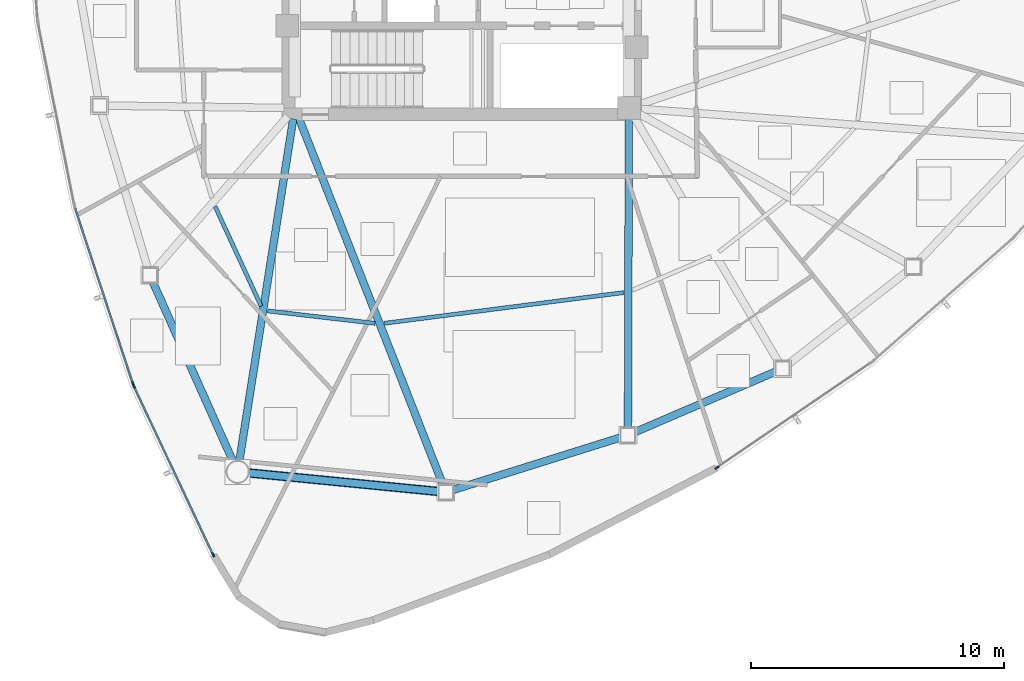
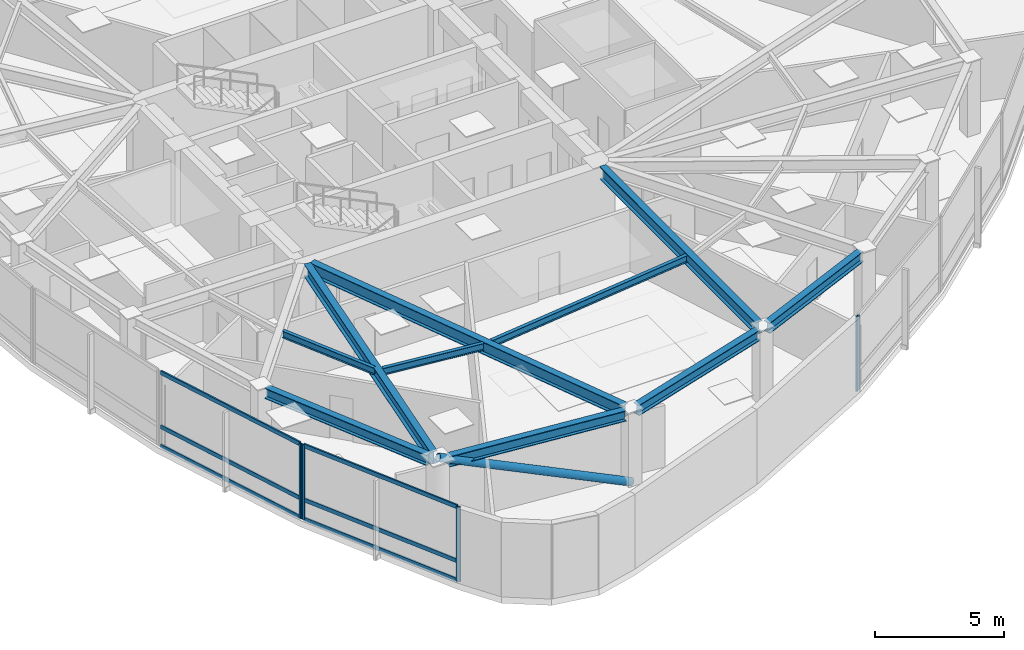
# One storey, part 2 of 17: 11 members, 10 beams, 3 elements without a shape of their own.
"""IFC4 building model written with IfcOpenShell, lengths in metres."""

import ifcopenshell
import ifcopenshell.guid

model = None  # the IFC model being written
_history = None  # IfcOwnerHistory: only IFC2X3 demands one
_inside = {}  # id of a spatial element -> (the spatial element, [elements in it])
_under = {}  # id of a project, library or spatial element -> (it, [spatial elements below it])
_declared = {}  # id of a project -> (the project, [libraries it declares])
_typed = {}  # id of a type object -> (the type object, [elements of that type])
_made_of = {}  # id of a material, layer set ... -> (it, [elements and type objects made of it])


def new_model(schema):
    """Start an empty IFC model of exactly this schema.

    Asked for "IFC4X3", IfcOpenShell would pick the latest addendum, in which some entities
    have other attributes; the version numbers below select the first issue.
    IFC2X3 requires an IfcOwnerHistory on every rooted entity: one is made here for all.
    """
    global model, _history
    if schema == "IFC4X3":
        model = ifcopenshell.file(schema_version=(4, 3, 0, 0))
    else:
        model = ifcopenshell.file(schema=schema)
    _inside.clear()
    _under.clear()
    _declared.clear()
    _typed.clear()
    _made_of.clear()
    _history = None
    if model.schema == "IFC2X3":
        org = make("IfcOrganization", Name="unknown")
        user = make(
            "IfcPersonAndOrganization",
            ThePerson=make("IfcPerson", FamilyName="unknown"),
            TheOrganization=org,
        )
        app = make(
            "IfcApplication",
            ApplicationDeveloper=org,
            Version="unknown",
            ApplicationFullName="unknown",
            ApplicationIdentifier="unknown",
        )
        _history = make(
            "IfcOwnerHistory",
            OwningUser=user,
            OwningApplication=app,
            ChangeAction="ADDED",
            CreationDate=0,
        )
    return model


def make(cls, **values):
    """One entity of the class cls with the attributes given. An attribute that is None is left unset."""
    return model.create_entity(
        cls, **{name: value for name, value in values.items() if value is not None}
    )


def rooted(cls, **values):
    """An entity with a GlobalId (a new one), such as an element, a storey or a relation."""
    return make(cls, GlobalId=ifcopenshell.guid.new(), OwnerHistory=_history, **values)


def si_unit(unit_type, name, prefix=None):
    """IfcSIUnit, for example si_unit("LENGTHUNIT", "METRE", prefix="MILLI")."""
    return make("IfcSIUnit", UnitType=unit_type, Prefix=prefix, Name=name)


def assignment(units):
    """IfcUnitAssignment: the units of a project."""
    return None if units is None else make("IfcUnitAssignment", Units=units)


def point(xyz):
    """IfcCartesianPoint."""
    return None if xyz is None else make("IfcCartesianPoint", Coordinates=xyz)


def direction(xyz):
    """IfcDirection."""
    return None if xyz is None else make("IfcDirection", DirectionRatios=xyz)


def frame(location, z_axis=None, x_axis=None):
    """IfcAxis2Placement3D, a coordinate frame: its origin and axes. An axis left out is left unset."""
    return make(
        "IfcAxis2Placement3D",
        Location=point(location),
        Axis=direction(z_axis),
        RefDirection=direction(x_axis),
    )


def frame_2d(location, x_axis=None):
    """IfcAxis2Placement2D, a coordinate frame in the plane: its origin and x axis."""
    return make(
        "IfcAxis2Placement2D", Location=point(location), RefDirection=direction(x_axis)
    )


def origin():
    """The frame at (0, 0, 0) with its axes left unset."""
    return frame((0.0, 0.0, 0.0))


def origin_2d():
    """The frame at (0, 0) in the plane with its x axis left unset."""
    return frame_2d((0.0, 0.0))


def place(relative_to, where):
    """IfcLocalPlacement: puts the frame where relative to a parent placement (None: the world)."""
    return make(
        "IfcLocalPlacement", PlacementRelTo=relative_to, RelativePlacement=where
    )


def context(
    kind, dimensions, precision=None, world=None, true_north=None, identifier=None
):
    """IfcGeometricRepresentationContext, for example the 3D "Model" context."""
    return make(
        "IfcGeometricRepresentationContext",
        ContextIdentifier=identifier,
        ContextType=kind,
        CoordinateSpaceDimension=dimensions,
        Precision=precision,
        WorldCoordinateSystem=world,
        TrueNorth=true_north,
    )


def subcontext(parent, identifier, kind, view, scale=None):
    """IfcGeometricRepresentationSubContext, for example "Body" below "Model"."""
    return make(
        "IfcGeometricRepresentationSubContext",
        ContextIdentifier=identifier,
        ContextType=kind,
        ParentContext=parent,
        TargetScale=scale,
        TargetView=view,
    )


def project(units=None, contexts=None):
    """IfcProject with its units and contexts."""
    return rooted(
        "IfcProject",
        Name="project",
        RepresentationContexts=contexts,
        UnitsInContext=assignment(units),
    )


def spatial(cls, under=None, at=None, **own):
    """A site, building, storey or space (cls), placed at a placement, below another one or the project."""
    s = rooted(cls, ObjectPlacement=at, **own)
    if under is not None:
        _under.setdefault(under.id(), (under, []))[1].append(s)
    return s


def profile(cls, at=None, kind="AREA", **sizes):
    """A parametric profile (cls). Its sizes go by their IFC names, for example OverallWidth=200.0."""
    return make(cls, ProfileType=kind, Position=at, **sizes)


def hollow_rectangle(**sizes):
    """IfcRectangleHollowProfileDef."""
    return profile("IfcRectangleHollowProfileDef", **sizes)


def hollow_circle(**sizes):
    """IfcCircleHollowProfileDef."""
    return profile("IfcCircleHollowProfileDef", **sizes)


def i_section(**sizes):
    """IfcIShapeProfileDef."""
    return profile("IfcIShapeProfileDef", **sizes)


def extrude(swept, where, along, depth):
    """IfcExtrudedAreaSolid: the profile swept, set in the frame where, extruded along a direction by depth."""
    return make(
        "IfcExtrudedAreaSolid",
        SweptArea=swept,
        Position=where,
        ExtrudedDirection=direction(along),
        Depth=depth,
    )


def shape(context_of_items, identifier, shape_type, items):
    """IfcShapeRepresentation: the items that make up one representation, for example the "Body"."""
    return make(
        "IfcShapeRepresentation",
        ContextOfItems=context_of_items,
        RepresentationIdentifier=identifier,
        RepresentationType=shape_type,
        Items=items,
    )


def source(mapping_origin, context_of_items, identifier, shape_type, items):
    """IfcRepresentationMap: a shape defined once, which mapped items show again and again."""
    return make(
        "IfcRepresentationMap",
        MappingOrigin=mapping_origin,
        MappedRepresentation=shape(context_of_items, identifier, shape_type, items),
    )


def transform(
    local_origin,
    x_axis=None,
    y_axis=None,
    z_axis=None,
    scale=None,
    scale2=None,
    scale3=None,
    uniform=True,
):
    """IfcCartesianTransformationOperator3D, or its non-uniform kind. x_axis, y_axis, z_axis: its Axis1, 2, 3."""
    if uniform:
        return make(
            "IfcCartesianTransformationOperator3D",
            Axis1=direction(x_axis),
            Axis2=direction(y_axis),
            LocalOrigin=point(local_origin),
            Scale=scale,
            Axis3=direction(z_axis),
        )
    return make(
        "IfcCartesianTransformationOperator3DnonUniform",
        Axis1=direction(x_axis),
        Axis2=direction(y_axis),
        LocalOrigin=point(local_origin),
        Scale=scale,
        Axis3=direction(z_axis),
        Scale2=scale2,
        Scale3=scale3,
    )


def mapped(mapping_source, mapping_target):
    """IfcMappedItem: shows the shape of a source again, moved by a transform."""
    return make(
        "IfcMappedItem", MappingSource=mapping_source, MappingTarget=mapping_target
    )


def material(Name=None, Category=None):
    """IfcMaterial."""
    return make("IfcMaterial", Name=Name, Category=Category)


def layer(
    of_material, thickness, ventilated=None, Name=None, Category=None, Priority=None
):
    """IfcMaterialLayer: one layer of a wall or slab, of a material (None: an air gap)."""
    return make(
        "IfcMaterialLayer",
        Material=of_material,
        LayerThickness=thickness,
        IsVentilated=ventilated,
        Name=Name,
        Category=Category,
        Priority=Priority,
    )


def layer_set(layers, Name=None):
    """IfcMaterialLayerSet."""
    return make("IfcMaterialLayerSet", MaterialLayers=layers, LayerSetName=Name)


def material_profile(
    of_material, cross_section, Name=None, Category=None, Priority=None
):
    """IfcMaterialProfile: a cross section and its material."""
    return make(
        "IfcMaterialProfile",
        Name=Name,
        Material=of_material,
        Profile=cross_section,
        Priority=Priority,
        Category=Category,
    )


def profile_set(profiles, Name=None, composite=None):
    """IfcMaterialProfileSet."""
    return make(
        "IfcMaterialProfileSet",
        Name=Name,
        MaterialProfiles=profiles,
        CompositeProfile=composite,
    )


def made_of(thing, what):
    """Note that an element or type object is made of a material, layer set ...; save() writes the relation."""
    if what is not None:
        _made_of.setdefault(what.id(), (what, []))[1].append(thing)
    return thing


def type_object(cls, material=None, **own):
    """A type object (cls), such as IfcWallType, which elements share."""
    return made_of(rooted(cls, **own), material)


def type_shapes(of_type, sources):
    """Give a type object the sources (RepresentationMaps) that its elements show as mapped items."""
    of_type.RepresentationMaps = sources


def element(
    cls,
    number,
    at=None,
    inside=None,
    cuts=None,
    type_object=None,
    material=None,
    context=None,
    identifier="Body",
    shape_type=None,
    held_by="IfcProductDefinitionShape",
    body=None,
    shapes=None,
    **own,
):
    """One element of the class cls, such as IfcWall. Its Tag is "e" and its number.

    at: its placement. inside: the storey or other place that contains it. cuts: it is an
    opening in that element (IfcRelVoidsElement). A single representation is given by context,
    identifier, shape_type and body (its items); several are given by shapes. held_by: the class
    of the entity that holds the representations. save() writes the other relations.
    """
    e = rooted(cls, Tag="e%d" % number, ObjectPlacement=at, **own)
    if body is not None:
        shapes = [shape(context, identifier, shape_type, body)]
    if shapes is not None:
        e.Representation = make(held_by, Representations=shapes)
    if inside is not None:
        _inside.setdefault(inside.id(), (inside, []))[1].append(e)
    if cuts is not None:
        rooted(
            "IfcRelVoidsElement", RelatingBuildingElement=cuts, RelatedOpeningElement=e
        )
    if type_object is not None:
        _typed.setdefault(type_object.id(), (type_object, []))[1].append(e)
    return made_of(e, material)


def aggregate(whole, parts):
    """IfcRelAggregates: a whole, such as a stair, and the parts it consists of."""
    return rooted("IfcRelAggregates", RelatingObject=whole, RelatedObjects=parts)


def save(model, path):
    """Write the relations noted so far, then the file.

    IfcRelAggregates (storeys below a building ...), IfcRelContainedInSpatialStructure (elements
    in a storey), IfcRelDefinesByType, IfcRelAssociatesMaterial and IfcRelDeclares: one each for
    every whole, place, type object, material and project.
    """
    for whole, parts in _under.values():
        aggregate(whole, parts)
    for where, things in _inside.values():
        rooted(
            "IfcRelContainedInSpatialStructure",
            RelatedElements=things,
            RelatingStructure=where,
        )
    for kind, things in _typed.values():
        rooted("IfcRelDefinesByType", RelatedObjects=things, RelatingType=kind)
    for what, things in _made_of.values():
        rooted("IfcRelAssociatesMaterial", RelatedObjects=things, RelatingMaterial=what)
    for by, libraries in _declared.values():
        rooted("IfcRelDeclares", RelatingContext=by, RelatedDefinitions=libraries)
    model.write(path)


model = new_model("IFC4")

# Units and contexts
model_context = context("Model", 3, precision=1e-05, world=origin(), true_north=direction((0.0, 1.0)))
body_context = subcontext(model_context, "Body", "Model", "MODEL_VIEW")
ifc_project = project(units=[si_unit("LENGTHUNIT", "METRE"), si_unit("AREAUNIT", "SQUARE_METRE"), si_unit("VOLUMEUNIT", "CUBIC_METRE"), si_unit("PLANEANGLEUNIT", "RADIAN"), si_unit("MASSUNIT", "GRAM", prefix="KILO")], contexts=[model_context])

# Site, building, storey
site_placement = place(None, origin())
site = spatial("IfcSite", under=ifc_project, at=site_placement, CompositionType="ELEMENT")
building_placement = place(site_placement, origin())
building = spatial("IfcBuilding", under=site, at=building_placement, Name="Tavelor Broadcast Tower", CompositionType="ELEMENT")
storey_placement = place(building_placement, frame((0.0, 0.0, 192.60009765625)))
storey = spatial("IfcBuildingStorey", under=building, at=storey_placement, Name="L46", CompositionType="ELEMENT", Elevation=192.60009765625)

# Beams
ifc_material_1 = material(Name="Steel S355", Category="steel")
ifc_material_profile_1 = material_profile(ifc_material_1, i_section(OverallWidth=0.159912109375, OverallDepth=0.330078125, WebThickness=0.007568359375, FlangeThickness=0.011474609375, at=origin_2d()), Name="IPE 330")
ifc_profile_set_1 = profile_set([ifc_material_profile_1], Name="Steel S355")
beam_type_1 = type_object("IfcBeamType", Name="Composite Floor Joist T4 IPE 330", PredefinedType="JOIST", material=ifc_profile_set_1)
beam_1_placement = place(storey_placement, frame((40.2470703125, 34.91259765625, 3.385009765625), z_axis=(0.418865688231, -0.908048200936, 0.0), x_axis=(0.908048200936, 0.418865688231, 0.0)))
element("IfcBeam", 1, at=beam_1_placement, inside=storey, type_object=beam_type_1, Name="L46 Secondary Composite Floor Joist 06", PredefinedType="JOIST", context=body_context, shape_type="SweptSolid", body=[
    extrude(i_section(OverallWidth=0.159912109375, OverallDepth=0.330078125, WebThickness=0.007568359375, FlangeThickness=0.011474609375, at=origin_2d()), origin(), (0.0, 0.0, 1.0), 4.343505859375),
])
beam_2_placement = place(storey_placement, frame((42.322021484375, 30.783447265625, 3.385009765625), z_axis=(0.99339343168, -0.114758397927, 0.0), x_axis=(0.114758397927, 0.99339343168, 0.0)))
element("IfcBeam", 2, at=beam_2_placement, inside=storey, type_object=beam_type_1, Name="L46 Secondary Composite Floor Joist 07", PredefinedType="JOIST", context=body_context, shape_type="SweptSolid", body=[
    extrude(i_section(OverallWidth=0.159912109375, OverallDepth=0.330078125, WebThickness=0.007568359375, FlangeThickness=0.011474609375, at=origin_2d()), origin(), (0.0, 0.0, 1.0), 4.2783203125),
])
beam_3_placement = place(storey_placement, frame((46.931396484375, 30.294921875, 3.385009765625), z_axis=(0.991879761862, 0.127179157129, 0.0), x_axis=(-0.127179157129, 0.991879761862, 0.0)))
element("IfcBeam", 3, at=beam_3_placement, inside=storey, type_object=beam_type_1, Name="L46 Secondary Composite Floor Joist 08", PredefinedType="JOIST", context=body_context, shape_type="SweptSolid", body=[
    extrude(i_section(OverallWidth=0.159912109375, OverallDepth=0.330078125, WebThickness=0.007568359375, FlangeThickness=0.011474609375, at=origin_2d()), origin(), (0.0, 0.0, 1.0), 9.54443359375),
])
ifc_material_profile_2 = material_profile(ifc_material_1, i_section(OverallWidth=0.300048828125, OverallDepth=0.5, WebThickness=0.014404296875, FlangeThickness=0.028076171875, at=origin_2d()), Name="HEB 500")
ifc_profile_set_2 = profile_set([ifc_material_profile_2], Name="Steel S355")
beam_type_2 = type_object("IfcBeamType", Name="Perimeter Spandrel Beam T4 HEB 500", PredefinedType="SPANDREL", material=ifc_profile_set_2)
beam_4_placement = place(storey_placement, frame((37.78564453125, 31.927490234375, 3.2998046875), z_axis=(0.407969002466, -0.912995779304, 0.0), x_axis=(0.912995779304, 0.407969002466, 0.0)))
element("IfcBeam", 4, at=beam_4_placement, inside=storey, type_object=beam_type_2, Name="L46 Framed-Tube Ring Spandrel 06", PredefinedType="SPANDREL", context=body_context, shape_type="SweptSolid", body=[
    extrude(i_section(OverallWidth=0.300048828125, OverallDepth=0.5, WebThickness=0.014404296875, FlangeThickness=0.028076171875, at=origin_2d()), origin(), (0.0, 0.0, 1.0), 7.7802734375),
])
beam_5_placement = place(storey_placement, frame((41.5751953125, 24.381103515625, 3.2998046875), z_axis=(0.995249339376, -0.097358884918, 0.0), x_axis=(0.097358884918, 0.995249339376, 0.0)))
element("IfcBeam", 5, at=beam_5_placement, inside=storey, type_object=beam_type_2, Name="L46 Framed-Tube Ring Spandrel 07", PredefinedType="SPANDREL", context=body_context, shape_type="SweptSolid", body=[
    extrude(i_section(OverallWidth=0.300048828125, OverallDepth=0.5, WebThickness=0.014404296875, FlangeThickness=0.028076171875, at=origin_2d()), origin(), (0.0, 0.0, 1.0), 7.54052734375),
])
beam_6_placement = place(storey_placement, frame((49.641357421875, 23.705078125, 3.2998046875), z_axis=(0.954273247332, 0.298935727918, 0.0), x_axis=(-0.298935727918, 0.954273247332, 0.0)))
element("IfcBeam", 6, at=beam_6_placement, inside=storey, type_object=beam_type_2, Name="L46 Framed-Tube Ring Spandrel 08", PredefinedType="SPANDREL", context=body_context, shape_type="SweptSolid", body=[
    extrude(i_section(OverallWidth=0.300048828125, OverallDepth=0.5, WebThickness=0.014404296875, FlangeThickness=0.028076171875, at=origin_2d()), origin(), (0.0, 0.0, 1.0), 6.963134765625),
])
beam_7_placement = place(storey_placement, frame((56.825439453125, 25.98681640625, 3.2998046875), z_axis=(0.91846180915, 0.395509677672, 0.0), x_axis=(-0.395509677672, 0.91846180915, 0.0)))
element("IfcBeam", 7, at=beam_7_placement, inside=storey, type_object=beam_type_2, Name="L46 Framed-Tube Ring Spandrel 09", PredefinedType="SPANDREL", context=body_context, shape_type="SweptSolid", body=[
    extrude(i_section(OverallWidth=0.300048828125, OverallDepth=0.5, WebThickness=0.014404296875, FlangeThickness=0.028076171875, at=origin_2d()), origin(), (0.0, 0.0, 1.0), 6.07470703125),
])

# Member
ifc_material_profile_3 = material_profile(ifc_material_1, hollow_circle(Radius=0.177734375, WallThickness=0.01611328125, at=origin_2d()), Name="CHS 355.6x16")
ifc_profile_set_3 = profile_set([ifc_material_profile_3], Name="Steel S355")
member_type_1 = type_object("IfcMemberType", Name="Perimeter Tube Brace T4 CHS 355.6x16", PredefinedType="BRACE", material=ifc_profile_set_3)
member_1_placement = place(storey_placement, frame((49.366455078125, 23.618896484375, 0.0), z_axis=(-0.914506155646, 0.089466983032, 0.394555636423), x_axis=(-0.097366094377, -0.995248634094, 0.0)))
element("IfcMember", 8, at=member_1_placement, inside=storey, type_object=member_type_1, Name="L46 Corner Tube Diagonal Brace 2", PredefinedType="BRACE", context=body_context, shape_type="SweptSolid", body=[
    extrude(hollow_circle(Radius=0.177734375, WallThickness=0.01611328125, at=origin_2d()), origin(), (0.0, 0.0, 1.0), 8.9970703125),
])

# Beams
ifc_material_profile_4 = material_profile(ifc_material_1, i_section(OverallWidth=0.300048828125, OverallDepth=0.590087890625, WebThickness=0.012939453125, FlangeThickness=0.02490234375, at=origin_2d()), Name="HEA 600")
ifc_profile_set_4 = profile_set([ifc_material_profile_4], Name="Steel S355")
beam_type_3 = type_object("IfcBeamType", Name="Radial Floor Girder T4 HEA 600", PredefinedType="BEAM", material=ifc_profile_set_4)
beam_8_placement = place(storey_placement, frame((43.3330078125, 38.373291015625, 3.2548828125), z_axis=(-0.15539903111, -0.987851780952, 0.0), x_axis=(0.987851780952, -0.15539903111, 0.0)))
element("IfcBeam", 9, at=beam_8_placement, inside=storey, type_object=beam_type_3, Name="L46 Radial Primary Floor Girder 07", PredefinedType="BEAM", context=body_context, shape_type="SweptSolid", body=[
    extrude(i_section(OverallWidth=0.300048828125, OverallDepth=0.590087890625, WebThickness=0.012939453125, FlangeThickness=0.02490234375, at=origin_2d()), origin(), (0.0, 0.0, 1.0), 13.682373046875),
])
beam_9_placement = place(storey_placement, frame((43.55810546875, 38.39794921875, 3.2548828125), z_axis=(0.365784627572, -0.930699525213, 0.0), x_axis=(0.930699525213, 0.365784627572, 0.0)))
element("IfcBeam", 10, at=beam_9_placement, inside=storey, type_object=beam_type_3, Name="L46 Radial Primary Floor Girder 08", PredefinedType="BEAM", context=body_context, shape_type="SweptSolid", body=[
    extrude(i_section(OverallWidth=0.300048828125, OverallDepth=0.590087890625, WebThickness=0.012939453125, FlangeThickness=0.02490234375, at=origin_2d()), origin(), (0.0, 0.0, 1.0), 15.591552734375),
])
beam_10_placement = place(storey_placement, frame((56.5986328125, 38.367919921875, 3.2548828125), z_axis=(-0.0029999865, -0.99999550003, 0.0), x_axis=(0.99999550003, -0.0029999865, 0.0)))
element("IfcBeam", 11, at=beam_10_placement, inside=storey, type_object=beam_type_3, Name="L46 Radial Primary Floor Girder 09", PredefinedType="BEAM", context=body_context, shape_type="SweptSolid", body=[
    extrude(i_section(OverallWidth=0.300048828125, OverallDepth=0.590087890625, WebThickness=0.012939453125, FlangeThickness=0.02490234375, at=origin_2d()), origin(), (0.0, 0.0, 1.0), 12.20703125),
])

# Curtain wall, member
ifc_material_2 = material(Name="Architectural Anodized Aluminium", Category="aluminium")
ifc_layer = layer(ifc_material_2, 0.18994140625)
ifc_layer_set = layer_set([ifc_layer], Name="Architectural Anodized Aluminium")
curtain_wall_type = type_object("IfcCurtainWallType", Name="Tower Mid-Zone Acoustic Curtain Wall CW03", PredefinedType="NOTDEFINED", material=ifc_layer_set)
curtain_wall_1_placement = place(storey_placement, origin())
curtain_wall_1 = element("IfcCurtainWall", 12, at=curtain_wall_1_placement, inside=storey, type_object=curtain_wall_type, Name="L46 Curtain Wall CW03 Run 495", PredefinedType="NOTDEFINED")
ifc_material_profile_5 = material_profile(ifc_material_2, hollow_rectangle(XDim=0.068115234375, YDim=0.18994140625, WallThickness=0.02197265625, at=origin_2d()), Name="RHS 68x190x22")
ifc_profile_set_5 = profile_set([ifc_material_profile_5], Name="Architectural Anodized Aluminium")
member_type_2 = type_object("IfcMemberType", Name="CW03 Extruded Aluminium Mullion 68x190", PredefinedType="MULLION", material=ifc_profile_set_5)
shared_shape_1 = source(origin(), body_context, "Body", "SweptSolid", [
    extrude(hollow_rectangle(XDim=0.068115234375, YDim=0.18994140625, WallThickness=0.02197265625, at=origin_2d()), origin(), (0.0, 0.0, 1.0), 3.5498046875),
])
type_shapes(member_type_2, [shared_shape_1])
member_2_placement = place(storey_placement, frame((37.004150390625, 27.90087890625, 0.0), z_axis=(0.0, 0.0, 1.0), x_axis=(0.949832676949, 0.312758510355, 0.0)))
member_2 = element("IfcMember", 13, at=member_2_placement, type_object=member_type_2, Name="CW03 mullion 2", PredefinedType="MULLION", context=body_context, shape_type="MappedRepresentation", body=[
    mapped(shared_shape_1, transform((0.0, 0.0, 0.0), scale=1.0)),
])

# Curtain wall, members
curtain_wall_2_placement = place(storey_placement, origin())
curtain_wall_2 = element("IfcCurtainWall", 14, at=curtain_wall_2_placement, inside=storey, type_object=curtain_wall_type, Name="L46 Curtain Wall CW03 Run 496", PredefinedType="NOTDEFINED")
member_3_placement = place(storey_placement, frame((37.04052734375, 27.81005859375, 0.0), z_axis=(0.0, 0.0, 1.0), x_axis=(0.905004252042, 0.425402519722, 0.0)))
member_3 = element("IfcMember", 15, at=member_3_placement, type_object=member_type_2, Name="CW03 mullion 1", PredefinedType="MULLION", context=body_context, shape_type="MappedRepresentation", body=[
    mapped(shared_shape_1, transform((0.0, 0.0, 0.0), scale=1.0)),
])
member_4_placement = place(storey_placement, frame((40.169189453125, 21.154052734375, 0.0), z_axis=(0.0, 0.0, 1.0), x_axis=(0.905004252042, 0.425402519722, 0.0)))
member_4 = element("IfcMember", 16, at=member_4_placement, type_object=member_type_2, Name="CW03 mullion 2", PredefinedType="MULLION", context=body_context, shape_type="MappedRepresentation", body=[
    mapped(shared_shape_1, transform((0.0, 0.0, 0.0), scale=1.0)),
])

# Curtain wall, member
curtain_wall_3_placement = place(storey_placement, origin())
curtain_wall_3 = element("IfcCurtainWall", 17, at=curtain_wall_3_placement, inside=storey, type_object=curtain_wall_type, Name="L46 Curtain Wall CW03 Run 497", PredefinedType="NOTDEFINED")
member_5_placement = place(storey_placement, frame((60.08203125, 24.587646484375, 0.0), z_axis=(0.0, 0.0, 1.0), x_axis=(-0.563894858245, 0.825846589171, 0.0)))
member_5 = element("IfcMember", 18, at=member_5_placement, type_object=member_type_2, Name="CW03 mullion 1", PredefinedType="MULLION", context=body_context, shape_type="MappedRepresentation", body=[
    mapped(shared_shape_1, transform((0.0, 0.0, 0.0), scale=1.0)),
])
aggregate(curtain_wall_3, [member_5])

# Member
ifc_material_profile_6 = material_profile(ifc_material_2, hollow_rectangle(XDim=0.068115234375, YDim=0.18994140625, WallThickness=0.02197265625, at=origin_2d()), Name="RHS 68x190x22")
ifc_profile_set_6 = profile_set([ifc_material_profile_6], Name="Architectural Anodized Aluminium")
member_type_3 = type_object("IfcMemberType", Name="CW03 Extruded Aluminium Transom 68x190", PredefinedType="USERDEFINED", material=ifc_profile_set_6)
shared_shape_2 = source(origin(), body_context, "Body", "SweptSolid", [
    extrude(hollow_rectangle(XDim=0.068115234375, YDim=0.18994140625, WallThickness=0.02197265625, at=origin_2d()), origin(), (0.0, 0.0, 1.0), 7.270751953125),
])
member_6_placement = place(storey_placement, frame((34.7197265625, 34.839111328125, 0.033935546875), z_axis=(0.312750268007, -0.949835390929, 0.0), x_axis=(0.949835390929, 0.312750268007, 0.0)))
member_6 = element("IfcMember", 19, at=member_6_placement, type_object=member_type_3, Name="CW03 transom 1.1", ObjectType="TRANSOM", PredefinedType="USERDEFINED", context=body_context, shape_type="MappedRepresentation", body=[
    mapped(shared_shape_2, transform((0.0, 0.0, 0.0), scale=1.0)),
])

member_7_placement = place(storey_placement, frame((34.7197265625, 34.839111328125, 0.949951171875), z_axis=(0.312750268007, -0.949835390929, 0.0), x_axis=(0.949835390929, 0.312750268007, 0.0)))
member_7 = element("IfcMember", 20, at=member_7_placement, type_object=member_type_3, Name="CW03 transom 1.2", ObjectType="TRANSOM", PredefinedType="USERDEFINED", context=body_context, shape_type="MappedRepresentation", body=[
    mapped(shared_shape_2, transform((0.0, 0.0, 0.0), scale=1.0)),
])

member_8_placement = place(storey_placement, frame((34.7197265625, 34.839111328125, 3.515869140625), z_axis=(0.312750268007, -0.949835390929, 0.0), x_axis=(0.949835390929, 0.312750268007, 0.0)))
member_8 = element("IfcMember", 21, at=member_8_placement, type_object=member_type_3, Name="CW03 transom 1.3", ObjectType="TRANSOM", PredefinedType="USERDEFINED", context=body_context, shape_type="MappedRepresentation", body=[
    mapped(shared_shape_2, transform((0.0, 0.0, 0.0), scale=1.0)),
])

aggregate(curtain_wall_1, [member_2, member_6, member_7, member_8])

shared_shape_3 = source(origin(), body_context, "Body", "SweptSolid", [
    extrude(hollow_rectangle(XDim=0.068115234375, YDim=0.18994140625, WallThickness=0.02197265625, at=origin_2d()), origin(), (0.0, 0.0, 1.0), 7.28662109375),
])
type_shapes(member_type_3, [shared_shape_2, shared_shape_3])
member_9_placement = place(storey_placement, frame((37.054931640625, 27.779296875, 0.033935546875), z_axis=(0.425411359428, -0.905000096834, 0.0), x_axis=(0.905000096834, 0.425411359428, 0.0)))
member_9 = element("IfcMember", 22, at=member_9_placement, type_object=member_type_3, Name="CW03 transom 1.1", ObjectType="TRANSOM", PredefinedType="USERDEFINED", context=body_context, shape_type="MappedRepresentation", body=[
    mapped(shared_shape_3, transform((0.0, 0.0, 0.0), scale=1.0)),
])

member_10_placement = place(storey_placement, frame((37.054931640625, 27.779296875, 0.949951171875), z_axis=(0.425411359428, -0.905000096834, 0.0), x_axis=(0.905000096834, 0.425411359428, 0.0)))
member_10 = element("IfcMember", 23, at=member_10_placement, type_object=member_type_3, Name="CW03 transom 1.2", ObjectType="TRANSOM", PredefinedType="USERDEFINED", context=body_context, shape_type="MappedRepresentation", body=[
    mapped(shared_shape_3, transform((0.0, 0.0, 0.0), scale=1.0)),
])

member_11_placement = place(storey_placement, frame((37.054931640625, 27.779296875, 3.515869140625), z_axis=(0.425411359428, -0.905000096834, 0.0), x_axis=(0.905000096834, 0.425411359428, 0.0)))
member_11 = element("IfcMember", 24, at=member_11_placement, type_object=member_type_3, Name="CW03 transom 1.3", ObjectType="TRANSOM", PredefinedType="USERDEFINED", context=body_context, shape_type="MappedRepresentation", body=[
    mapped(shared_shape_3, transform((0.0, 0.0, 0.0), scale=1.0)),
])

aggregate(curtain_wall_2, [member_3, member_4, member_9, member_10, member_11])

save(model, "model.ifc")
